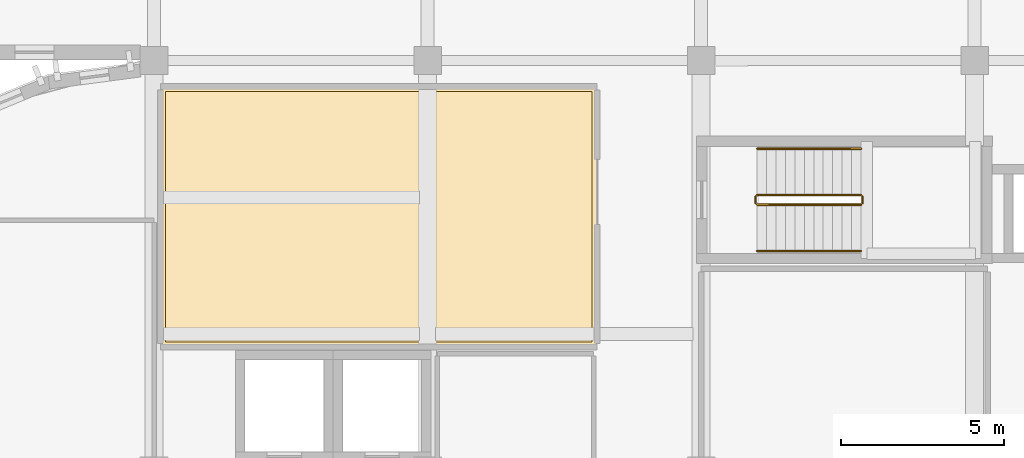
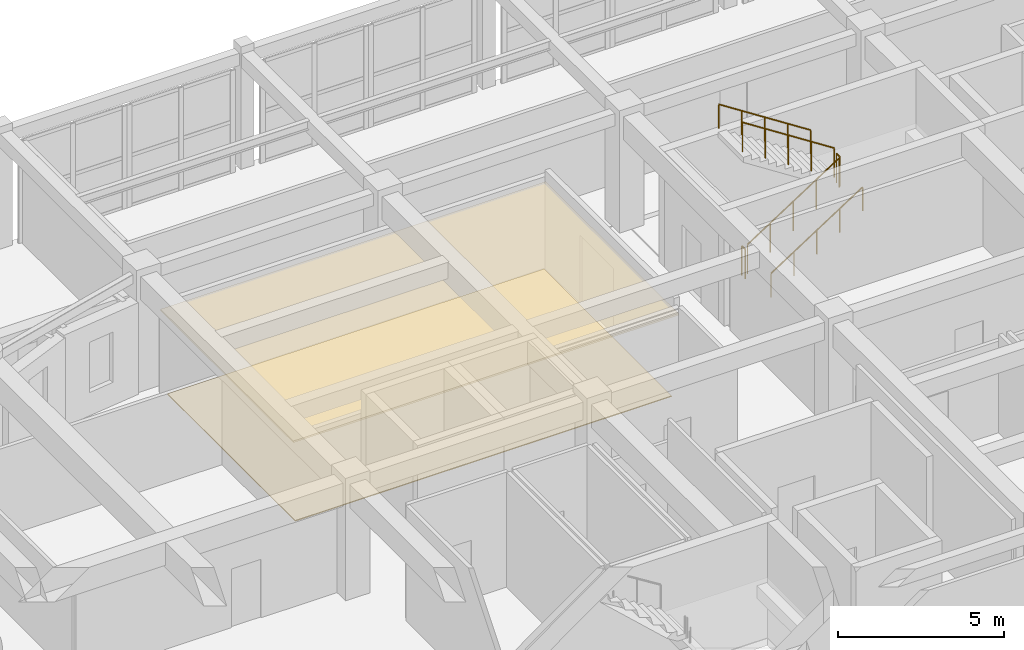
# One storey, part 90 of 92: 6 railings, 2 coverings.
"""IFC4 building model written with IfcOpenShell, lengths in metres."""

from ifc_helpers import new_model, si_unit, direction, frame, origin, origin_2d, place, context, subcontext, project, spatial, polyline, circle, outline, extrude, material, layer, layer_set, type_object, element, save


model = new_model("IFC4")

# Units and contexts
model_context = context("Model", 3, precision=1e-05, world=origin(), true_north=direction((0.0, 1.0)))
body_context = subcontext(model_context, "Body", "Model", "MODEL_VIEW")
ifc_project = project(units=[si_unit("LENGTHUNIT", "METRE"), si_unit("AREAUNIT", "SQUARE_METRE"), si_unit("VOLUMEUNIT", "CUBIC_METRE"), si_unit("PLANEANGLEUNIT", "RADIAN"), si_unit("MASSUNIT", "GRAM", prefix="KILO")], contexts=[model_context])

# Site, building, storey
site_placement = place(None, origin())
site = spatial("IfcSite", under=ifc_project, at=site_placement, CompositionType="ELEMENT")
building_placement = place(site_placement, origin())
building = spatial("IfcBuilding", under=site, at=building_placement, Name="Tarnavel Promenade Courthouse", CompositionType="ELEMENT")
storey_placement = place(building_placement, frame((0.0, 0.0, 5.39990234375)))
storey = spatial("IfcBuildingStorey", under=building, at=storey_placement, Name="L02", CompositionType="ELEMENT", Elevation=5.39990234375)

# Railings
ifc_material_1 = material(Name="Brushed Bronze Tubular Stair Handrail")
railing_type_1 = type_object("IfcRailingType", Name="Brushed Bronze Tubular Stair Handrail (RL-HND-0900)", PredefinedType="HANDRAIL", material=ifc_material_1)
railing_1_placement = place(storey_placement, frame((77.320068359375, 98.550048828125, 0.1875)))
element("IfcRailing", 1, at=railing_1_placement, inside=storey, type_object=railing_type_1, Name="L02 ST-03 stair handrail 1", PredefinedType="HANDRAIL", context=body_context, shape_type="SweptSolid", body=[
    extrude(circle(Radius=0.02392578125, at=origin_2d()), frame((0.0, 0.0, 0.8759765625), z_axis=(0.839759782654, 0.0, 0.542958108362), x_axis=(0.0, 1.0, 0.0)), (0.0, 0.0, 1.0), 3.798583984375),
    extrude(circle(Radius=0.02099609375, at=origin_2d()), origin(), (0.0, 0.0, 1.0), 0.851806640625),
    extrude(circle(Radius=0.02099609375, at=origin_2d()), frame((0.79736328125, 0.0, 0.515625)), (0.0, 0.0, 1.0), 0.851806640625),
    extrude(circle(Radius=0.02099609375, at=origin_2d()), frame((1.594970703125, 0.0, 1.03125)), (0.0, 0.0, 1.0), 0.851806640625),
    extrude(circle(Radius=0.02099609375, at=origin_2d()), frame((2.392578125, 0.0, 1.546875)), (0.0, 0.0, 1.0), 0.851806640625),
    extrude(circle(Radius=0.02099609375, at=origin_2d()), frame((3.18994140625, 0.0, 2.0625)), (0.0, 0.0, 1.0), 0.851806640625),
])
railing_2_placement = place(storey_placement, frame((80.510009765625, 101.68994140625, 2.4375)))
element("IfcRailing", 2, at=railing_2_placement, inside=storey, type_object=railing_type_1, Name="L02 ST-03 stair handrail 2", PredefinedType="HANDRAIL", context=body_context, shape_type="SweptSolid", body=[
    extrude(circle(Radius=0.02392578125, at=origin_2d()), frame((0.0, 0.0, 0.8759765625), z_axis=(-0.839759782654, 0.0, 0.542958108362), x_axis=(0.0, -1.0, 0.0)), (0.0, 0.0, 1.0), 3.798583984375),
    extrude(circle(Radius=0.02099609375, at=origin_2d()), origin(), (0.0, 0.0, 1.0), 0.851806640625),
    extrude(circle(Radius=0.02099609375, at=origin_2d()), frame((-0.79736328125, 0.0, 0.515625)), (0.0, 0.0, 1.0), 0.851806640625),
    extrude(circle(Radius=0.02099609375, at=origin_2d()), frame((-1.594970703125, 0.0, 1.03125)), (0.0, 0.0, 1.0), 0.851806640625),
    extrude(circle(Radius=0.02099609375, at=origin_2d()), frame((-2.392578125, 0.0, 1.546875)), (0.0, 0.0, 1.0), 0.851806640625),
    extrude(circle(Radius=0.02099609375, at=origin_2d()), frame((-3.18994140625, 0.0, 2.0625)), (0.0, 0.0, 1.0), 0.851806640625),
])

# Covering
ifc_material_2 = material(Name="Engineered Smoked Oak Courtroom & Chambers Parquet")
ifc_layer_1 = layer(ifc_material_2, 0.031982421875)
ifc_layer_set_1 = layer_set([ifc_layer_1], Name="Engineered Smoked Oak Courtroom & Chambers Parquet")
covering_type_1 = type_object("IfcCoveringType", Name="Engineered Smoked Oak Courtroom & Chambers Parquet (COV-FLR-OAK-32)", PredefinedType="FLOORING", material=ifc_layer_set_1)
covering_1_placement = place(storey_placement, origin())
element("IfcCovering", 3, at=covering_1_placement, inside=storey, type_object=covering_type_1, Name="L02 District Motion Hearing Courtroom Architectural Flooring 0015", PredefinedType="FLOORING", context=body_context, shape_type="SweptSolid", body=[
    extrude(outline(polyline([(59.14990234375, 95.75), (72.25, 95.75), (72.25, 103.449951171875), (59.14990234375, 103.449951171875), (59.14990234375, 95.75)])), origin(), (0.0, 0.0, 1.0), 0.031982421875),
])

# Railings
ifc_material_3 = material(Name="Painted Architectural Steel Core Stair Guardrail", Category="steel")
railing_type_2 = type_object("IfcRailingType", Name="Painted Architectural Steel Core Stair Guardrail (RL-GRD-1100)", PredefinedType="GUARDRAIL", material=ifc_material_3)
railing_3_placement = place(storey_placement, frame((77.320068359375, 99.969970703125, 0.1875)))
element("IfcRailing", 4, at=railing_3_placement, inside=storey, type_object=railing_type_2, Name="L02 ST-03 stair guard 1", PredefinedType="GUARDRAIL", context=body_context, shape_type="SweptSolid", body=[
    extrude(circle(Radius=0.02392578125, at=origin_2d()), frame((0.0, 0.0, 1.076171875), z_axis=(0.839759782654, 0.0, 0.542958108362), x_axis=(0.0, 1.0, 0.0)), (0.0, 0.0, 1.0), 3.798583984375),
    extrude(circle(Radius=0.02099609375, at=origin_2d()), origin(), (0.0, 0.0, 1.0), 1.052001953125),
    extrude(circle(Radius=0.02099609375, at=origin_2d()), frame((0.79736328125, 0.0, 0.515625)), (0.0, 0.0, 1.0), 1.052001953125),
    extrude(circle(Radius=0.02099609375, at=origin_2d()), frame((1.594970703125, 0.0, 1.03125)), (0.0, 0.0, 1.0), 1.052001953125),
    extrude(circle(Radius=0.02099609375, at=origin_2d()), frame((2.392578125, 0.0, 1.546875)), (0.0, 0.0, 1.0), 1.052001953125),
    extrude(circle(Radius=0.02099609375, at=origin_2d()), frame((3.18994140625, 0.0, 2.0625)), (0.0, 0.0, 1.0), 1.052001953125),
])
railing_4_placement = place(storey_placement, frame((80.56005859375, 100.02001953125, 2.25)))
element("IfcRailing", 5, at=railing_4_placement, inside=storey, type_object=railing_type_2, Name="L02 ST-03 stair guard 2", PredefinedType="GUARDRAIL", context=body_context, shape_type="SweptSolid", body=[
    extrude(circle(Radius=0.02392578125, at=origin_2d()), frame((0.0, 0.0, 1.076171875), z_axis=(0.0, 1.0, 0.0), x_axis=(-1.0, 0.0, 0.0)), (0.0, 0.0, 1.0), 0.199951171875),
    extrude(circle(Radius=0.02099609375, at=origin_2d()), origin(), (0.0, 0.0, 1.0), 1.052001953125),
    extrude(circle(Radius=0.02099609375, at=origin_2d()), frame((0.0, 0.199951171875, 0.0)), (0.0, 0.0, 1.0), 1.052001953125),
])
railing_5_placement = place(storey_placement, frame((80.510009765625, 100.27001953125, 2.4375)))
element("IfcRailing", 6, at=railing_5_placement, inside=storey, type_object=railing_type_2, Name="L02 ST-03 stair guard 3", PredefinedType="GUARDRAIL", context=body_context, shape_type="SweptSolid", body=[
    extrude(circle(Radius=0.02392578125, at=origin_2d()), frame((0.0, 0.0, 1.076171875), z_axis=(-0.839759782654, 0.0, 0.542958108362), x_axis=(0.0, -1.0, 0.0)), (0.0, 0.0, 1.0), 3.798583984375),
    extrude(circle(Radius=0.02099609375, at=origin_2d()), origin(), (0.0, 0.0, 1.0), 1.052001953125),
    extrude(circle(Radius=0.02099609375, at=origin_2d()), frame((-0.79736328125, 0.0, 0.515625)), (0.0, 0.0, 1.0), 1.052001953125),
    extrude(circle(Radius=0.02099609375, at=origin_2d()), frame((-1.594970703125, 0.0, 1.03125)), (0.0, 0.0, 1.0), 1.052001953125),
    extrude(circle(Radius=0.02099609375, at=origin_2d()), frame((-2.392578125, 0.0, 1.546875)), (0.0, 0.0, 1.0), 1.052001953125),
    extrude(circle(Radius=0.02099609375, at=origin_2d()), frame((-3.18994140625, 0.0, 2.0625)), (0.0, 0.0, 1.0), 1.052001953125),
])
railing_6_placement = place(storey_placement, frame((77.27001953125, 100.02001953125, 0.0)))
element("IfcRailing", 7, at=railing_6_placement, inside=storey, type_object=railing_type_2, Name="L02 ST-03 stair guard 4", PredefinedType="GUARDRAIL", context=body_context, shape_type="SweptSolid", body=[
    extrude(circle(Radius=0.02392578125, at=origin_2d()), frame((0.0, 0.0, 1.076171875), z_axis=(0.0, 1.0, 0.0), x_axis=(-1.0, 0.0, 0.0)), (0.0, 0.0, 1.0), 0.199951171875),
    extrude(circle(Radius=0.02099609375, at=origin_2d()), origin(), (0.0, 0.0, 1.0), 1.052001953125),
    extrude(circle(Radius=0.02099609375, at=origin_2d()), frame((0.0, 0.199951171875, 0.0)), (0.0, 0.0, 1.0), 1.052001953125),
])

# Covering
ifc_material_4 = material(Name="Slatted Acoustic White Oak Baffle Ceiling")
ifc_layer_2 = layer(ifc_material_4, 0.06494140625)
ifc_layer_set_2 = layer_set([ifc_layer_2], Name="Slatted Acoustic White Oak Baffle Ceiling")
covering_type_2 = type_object("IfcCoveringType", Name="Slatted Acoustic White Oak Baffle Ceiling (COV-CLG-OAK-65)", PredefinedType="CEILING", material=ifc_layer_set_2)
covering_2_placement = place(storey_placement, frame((0.0, 0.0, 3.03515625)))
element("IfcCovering", 8, at=covering_2_placement, inside=storey, type_object=covering_type_2, Name="L02 District Motion Hearing Courtroom Acoustic Ceiling 0015", PredefinedType="CEILING", context=body_context, shape_type="SweptSolid", body=[
    extrude(outline(polyline([(59.0, 95.60009765625), (72.39990234375, 95.60009765625), (72.39990234375, 103.60009765625), (59.0, 103.60009765625), (59.0, 95.60009765625)])), origin(), (0.0, 0.0, 1.0), 0.06494140625),
])

save(model, "model.ifc")
